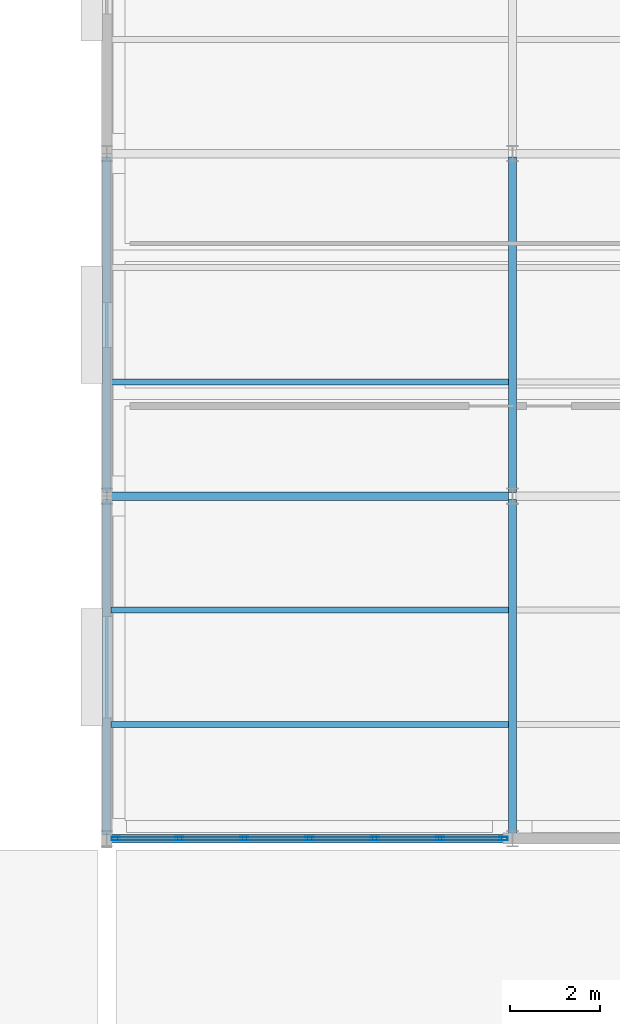
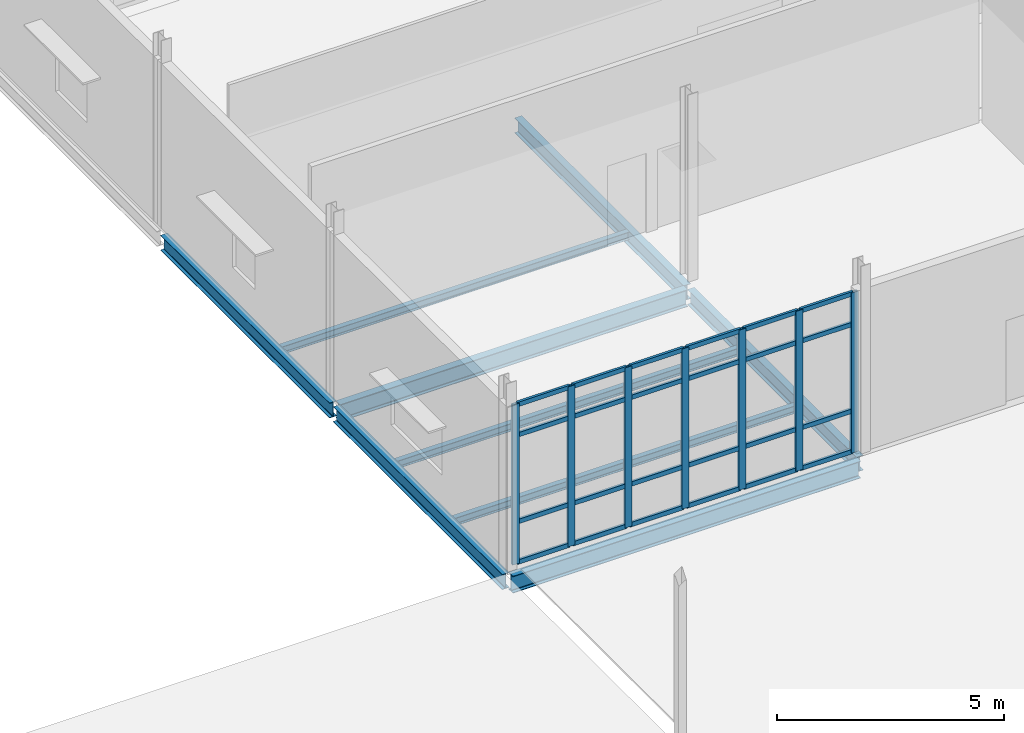
# One storey, part 71 of 161: 31 members, 9 beams, 1 element without a shape of its own.
"""IFC4 building model written with IfcOpenShell, lengths in metres."""

import ifcopenshell
import ifcopenshell.guid

model = None  # the IFC model being written
_history = None  # IfcOwnerHistory: only IFC2X3 demands one
_inside = {}  # id of a spatial element -> (the spatial element, [elements in it])
_under = {}  # id of a project, library or spatial element -> (it, [spatial elements below it])
_declared = {}  # id of a project -> (the project, [libraries it declares])
_typed = {}  # id of a type object -> (the type object, [elements of that type])
_made_of = {}  # id of a material, layer set ... -> (it, [elements and type objects made of it])


def new_model(schema):
    """Start an empty IFC model of exactly this schema.

    Asked for "IFC4X3", IfcOpenShell would pick the latest addendum, in which some entities
    have other attributes; the version numbers below select the first issue.
    IFC2X3 requires an IfcOwnerHistory on every rooted entity: one is made here for all.
    """
    global model, _history
    if schema == "IFC4X3":
        model = ifcopenshell.file(schema_version=(4, 3, 0, 0))
    else:
        model = ifcopenshell.file(schema=schema)
    _inside.clear()
    _under.clear()
    _declared.clear()
    _typed.clear()
    _made_of.clear()
    _history = None
    if model.schema == "IFC2X3":
        org = make("IfcOrganization", Name="unknown")
        user = make(
            "IfcPersonAndOrganization",
            ThePerson=make("IfcPerson", FamilyName="unknown"),
            TheOrganization=org,
        )
        app = make(
            "IfcApplication",
            ApplicationDeveloper=org,
            Version="unknown",
            ApplicationFullName="unknown",
            ApplicationIdentifier="unknown",
        )
        _history = make(
            "IfcOwnerHistory",
            OwningUser=user,
            OwningApplication=app,
            ChangeAction="ADDED",
            CreationDate=0,
        )
    return model


def make(cls, **values):
    """One entity of the class cls with the attributes given. An attribute that is None is left unset."""
    return model.create_entity(
        cls, **{name: value for name, value in values.items() if value is not None}
    )


def rooted(cls, **values):
    """An entity with a GlobalId (a new one), such as an element, a storey or a relation."""
    return make(cls, GlobalId=ifcopenshell.guid.new(), OwnerHistory=_history, **values)


def si_unit(unit_type, name, prefix=None):
    """IfcSIUnit, for example si_unit("LENGTHUNIT", "METRE", prefix="MILLI")."""
    return make("IfcSIUnit", UnitType=unit_type, Prefix=prefix, Name=name)


def assignment(units):
    """IfcUnitAssignment: the units of a project."""
    return None if units is None else make("IfcUnitAssignment", Units=units)


def point(xyz):
    """IfcCartesianPoint."""
    return None if xyz is None else make("IfcCartesianPoint", Coordinates=xyz)


def direction(xyz):
    """IfcDirection."""
    return None if xyz is None else make("IfcDirection", DirectionRatios=xyz)


def frame(location, z_axis=None, x_axis=None):
    """IfcAxis2Placement3D, a coordinate frame: its origin and axes. An axis left out is left unset."""
    return make(
        "IfcAxis2Placement3D",
        Location=point(location),
        Axis=direction(z_axis),
        RefDirection=direction(x_axis),
    )


def frame_2d(location, x_axis=None):
    """IfcAxis2Placement2D, a coordinate frame in the plane: its origin and x axis."""
    return make(
        "IfcAxis2Placement2D", Location=point(location), RefDirection=direction(x_axis)
    )


def origin():
    """The frame at (0, 0, 0) with its axes left unset."""
    return frame((0.0, 0.0, 0.0))


def origin_2d():
    """The frame at (0, 0) in the plane with its x axis left unset."""
    return frame_2d((0.0, 0.0))


def place(relative_to, where):
    """IfcLocalPlacement: puts the frame where relative to a parent placement (None: the world)."""
    return make(
        "IfcLocalPlacement", PlacementRelTo=relative_to, RelativePlacement=where
    )


def context(
    kind, dimensions, precision=None, world=None, true_north=None, identifier=None
):
    """IfcGeometricRepresentationContext, for example the 3D "Model" context."""
    return make(
        "IfcGeometricRepresentationContext",
        ContextIdentifier=identifier,
        ContextType=kind,
        CoordinateSpaceDimension=dimensions,
        Precision=precision,
        WorldCoordinateSystem=world,
        TrueNorth=true_north,
    )


def subcontext(parent, identifier, kind, view, scale=None):
    """IfcGeometricRepresentationSubContext, for example "Body" below "Model"."""
    return make(
        "IfcGeometricRepresentationSubContext",
        ContextIdentifier=identifier,
        ContextType=kind,
        ParentContext=parent,
        TargetScale=scale,
        TargetView=view,
    )


def project(units=None, contexts=None):
    """IfcProject with its units and contexts."""
    return rooted(
        "IfcProject",
        Name="project",
        RepresentationContexts=contexts,
        UnitsInContext=assignment(units),
    )


def spatial(cls, under=None, at=None, **own):
    """A site, building, storey or space (cls), placed at a placement, below another one or the project."""
    s = rooted(cls, ObjectPlacement=at, **own)
    if under is not None:
        _under.setdefault(under.id(), (under, []))[1].append(s)
    return s


def profile(cls, at=None, kind="AREA", **sizes):
    """A parametric profile (cls). Its sizes go by their IFC names, for example OverallWidth=200.0."""
    return make(cls, ProfileType=kind, Position=at, **sizes)


def hollow_rectangle(**sizes):
    """IfcRectangleHollowProfileDef."""
    return profile("IfcRectangleHollowProfileDef", **sizes)


def i_section(**sizes):
    """IfcIShapeProfileDef."""
    return profile("IfcIShapeProfileDef", **sizes)


def extrude(swept, where, along, depth):
    """IfcExtrudedAreaSolid: the profile swept, set in the frame where, extruded along a direction by depth."""
    return make(
        "IfcExtrudedAreaSolid",
        SweptArea=swept,
        Position=where,
        ExtrudedDirection=direction(along),
        Depth=depth,
    )


def shape(context_of_items, identifier, shape_type, items):
    """IfcShapeRepresentation: the items that make up one representation, for example the "Body"."""
    return make(
        "IfcShapeRepresentation",
        ContextOfItems=context_of_items,
        RepresentationIdentifier=identifier,
        RepresentationType=shape_type,
        Items=items,
    )


def material(Name=None, Category=None):
    """IfcMaterial."""
    return make("IfcMaterial", Name=Name, Category=Category)


def material_profile(
    of_material, cross_section, Name=None, Category=None, Priority=None
):
    """IfcMaterialProfile: a cross section and its material."""
    return make(
        "IfcMaterialProfile",
        Name=Name,
        Material=of_material,
        Profile=cross_section,
        Priority=Priority,
        Category=Category,
    )


def profile_set(profiles, Name=None, composite=None):
    """IfcMaterialProfileSet."""
    return make(
        "IfcMaterialProfileSet",
        Name=Name,
        MaterialProfiles=profiles,
        CompositeProfile=composite,
    )


def made_of(thing, what):
    """Note that an element or type object is made of a material, layer set ...; save() writes the relation."""
    if what is not None:
        _made_of.setdefault(what.id(), (what, []))[1].append(thing)
    return thing


def type_object(cls, material=None, **own):
    """A type object (cls), such as IfcWallType, which elements share."""
    return made_of(rooted(cls, **own), material)


def element(
    cls,
    number,
    at=None,
    inside=None,
    cuts=None,
    type_object=None,
    material=None,
    context=None,
    identifier="Body",
    shape_type=None,
    held_by="IfcProductDefinitionShape",
    body=None,
    shapes=None,
    **own,
):
    """One element of the class cls, such as IfcWall. Its Tag is "e" and its number.

    at: its placement. inside: the storey or other place that contains it. cuts: it is an
    opening in that element (IfcRelVoidsElement). A single representation is given by context,
    identifier, shape_type and body (its items); several are given by shapes. held_by: the class
    of the entity that holds the representations. save() writes the other relations.
    """
    e = rooted(cls, Tag="e%d" % number, ObjectPlacement=at, **own)
    if body is not None:
        shapes = [shape(context, identifier, shape_type, body)]
    if shapes is not None:
        e.Representation = make(held_by, Representations=shapes)
    if inside is not None:
        _inside.setdefault(inside.id(), (inside, []))[1].append(e)
    if cuts is not None:
        rooted(
            "IfcRelVoidsElement", RelatingBuildingElement=cuts, RelatedOpeningElement=e
        )
    if type_object is not None:
        _typed.setdefault(type_object.id(), (type_object, []))[1].append(e)
    return made_of(e, material)


def aggregate(whole, parts):
    """IfcRelAggregates: a whole, such as a stair, and the parts it consists of."""
    return rooted("IfcRelAggregates", RelatingObject=whole, RelatedObjects=parts)


def save(model, path):
    """Write the relations noted so far, then the file.

    IfcRelAggregates (storeys below a building ...), IfcRelContainedInSpatialStructure (elements
    in a storey), IfcRelDefinesByType, IfcRelAssociatesMaterial and IfcRelDeclares: one each for
    every whole, place, type object, material and project.
    """
    for whole, parts in _under.values():
        aggregate(whole, parts)
    for where, things in _inside.values():
        rooted(
            "IfcRelContainedInSpatialStructure",
            RelatedElements=things,
            RelatingStructure=where,
        )
    for kind, things in _typed.values():
        rooted("IfcRelDefinesByType", RelatedObjects=things, RelatingType=kind)
    for what, things in _made_of.values():
        rooted("IfcRelAssociatesMaterial", RelatedObjects=things, RelatingMaterial=what)
    for by, libraries in _declared.values():
        rooted("IfcRelDeclares", RelatingContext=by, RelatedDefinitions=libraries)
    model.write(path)


model = new_model("IFC4")

# Units and contexts
model_context = context("Model", 3, precision=1e-05, world=origin(), true_north=direction((0.0, 1.0)))
body_context = subcontext(model_context, "Body", "Model", "MODEL_VIEW")
ifc_project = project(units=[si_unit("LENGTHUNIT", "METRE"), si_unit("AREAUNIT", "SQUARE_METRE"), si_unit("VOLUMEUNIT", "CUBIC_METRE"), si_unit("PLANEANGLEUNIT", "RADIAN"), si_unit("MASSUNIT", "GRAM", prefix="KILO")], contexts=[model_context])

# Site, building, storey
site_placement = place(None, origin())
site = spatial("IfcSite", under=ifc_project, at=site_placement, CompositionType="ELEMENT")
building_placement = place(site_placement, origin())
building = spatial("IfcBuilding", under=site, at=building_placement, Name="Caisbarro Railhouse Central Library", CompositionType="ELEMENT")
storey_placement = place(building_placement, origin())
storey = spatial("IfcBuildingStorey", under=building, at=storey_placement, Name="L00", CompositionType="ELEMENT", Elevation=0.0)

# Beams
ifc_material_1 = material(Name="Steel ASTM A572 Grade 50", Category="steel")
ifc_material_profile_1 = material_profile(ifc_material_1, i_section(OverallWidth=0.18994140625, OverallDepth=0.45703125, WebThickness=0.009033203125, FlangeThickness=0.014404296875, FilletRadius=0.01806640625, at=origin_2d()), Name="W460X74.0")
ifc_profile_set_1 = profile_set([ifc_material_profile_1], Name="Steel ASTM A572 Grade 50")
beam_type_1 = type_object("IfcBeamType", Name="BM-G08", PredefinedType="BEAM", material=ifc_profile_set_1)
beam_1_placement = place(storey_placement, frame((54.080078125, 91.199951171875, -0.478515625), z_axis=(1.0, 0.0, 0.0), x_axis=(0.0, 1.0, 0.0)))
element("IfcBeam", 1, at=beam_1_placement, inside=storey, type_object=beam_type_1, Name="G08 beam L00 #618", PredefinedType="BEAM", context=body_context, shape_type="SweptSolid", body=[
    extrude(i_section(OverallWidth=0.18994140625, OverallDepth=0.45703125, WebThickness=0.009033203125, FlangeThickness=0.014404296875, FilletRadius=0.01806640625, at=origin_2d()), origin(), (0.0, 0.0, 1.0), 8.83984375),
])
ifc_material_profile_2 = material_profile(ifc_material_1, i_section(OverallWidth=0.177978515625, OverallDepth=0.406982421875, WebThickness=0.0078125, FlangeThickness=0.0126953125, FilletRadius=0.01611328125, at=origin_2d()), Name="W410X60.0")
ifc_profile_set_2 = profile_set([ifc_material_profile_2], Name="Steel ASTM A572 Grade 50")
beam_type_2 = type_object("IfcBeamType", Name="BM-G10", PredefinedType="BEAM", material=ifc_profile_set_2)
beam_2_placement = place(storey_placement, frame((54.0, 83.679931640625, -0.45361328125), z_axis=(0.0, 1.0, 0.0), x_axis=(-1.0, 0.0, 0.0)))
element("IfcBeam", 2, at=beam_2_placement, inside=storey, type_object=beam_type_2, Name="G10 beam L00 #633", PredefinedType="BEAM", context=body_context, shape_type="SweptSolid", body=[
    extrude(i_section(OverallWidth=0.177978515625, OverallDepth=0.406982421875, WebThickness=0.0078125, FlangeThickness=0.0126953125, FilletRadius=0.01611328125, at=origin_2d()), origin(), (0.0, 0.0, 1.0), 7.440185546875),
])
beam_3_placement = place(storey_placement, frame((54.0, 91.280029296875, -0.45361328125), z_axis=(0.0, 1.0, 0.0), x_axis=(-1.0, 0.0, 0.0)))
element("IfcBeam", 3, at=beam_3_placement, inside=storey, type_object=beam_type_2, Name="G10 beam L00 #634", PredefinedType="BEAM", context=body_context, shape_type="SweptSolid", body=[
    extrude(i_section(OverallWidth=0.177978515625, OverallDepth=0.406982421875, WebThickness=0.0078125, FlangeThickness=0.0126953125, FilletRadius=0.01611328125, at=origin_2d()), origin(), (0.0, 0.0, 1.0), 7.43994140625),
])
beam_4_placement = place(storey_placement, frame((63.0, 83.679931640625, -0.45361328125), z_axis=(0.0, 1.0, 0.0), x_axis=(-1.0, 0.0, 0.0)))
element("IfcBeam", 4, at=beam_4_placement, inside=storey, type_object=beam_type_2, Name="G10 beam L00 #636", PredefinedType="BEAM", context=body_context, shape_type="SweptSolid", body=[
    extrude(i_section(OverallWidth=0.177978515625, OverallDepth=0.406982421875, WebThickness=0.0078125, FlangeThickness=0.0126953125, FilletRadius=0.01611328125, at=origin_2d()), origin(), (0.0, 0.0, 1.0), 7.440185546875),
])
beam_5_placement = place(storey_placement, frame((63.0, 91.280029296875, -0.45361328125), z_axis=(0.0, 1.0, 0.0), x_axis=(-1.0, 0.0, 0.0)))
element("IfcBeam", 5, at=beam_5_placement, inside=storey, type_object=beam_type_2, Name="G10 beam L00 #637", PredefinedType="BEAM", context=body_context, shape_type="SweptSolid", body=[
    extrude(i_section(OverallWidth=0.177978515625, OverallDepth=0.406982421875, WebThickness=0.0078125, FlangeThickness=0.0126953125, FilletRadius=0.01611328125, at=origin_2d()), origin(), (0.0, 0.0, 1.0), 7.43994140625),
])
ifc_material_profile_3 = material_profile(ifc_material_1, i_section(OverallWidth=0.133056640625, OverallDepth=0.20703125, WebThickness=0.005859375, FlangeThickness=0.00830078125, FilletRadius=0.010009765625, at=origin_2d()), Name="W200X26.6")
ifc_profile_set_3 = profile_set([ifc_material_profile_3], Name="Steel ASTM A572 Grade 50")
beam_type_3 = type_object("IfcBeamType", Name="BM-J07", PredefinedType="JOIST", material=ifc_profile_set_3)
for number, where, z_axis, x_axis, name in (
    (6, (54.089111328125, 86.13330078125, -0.353515625), (1.0, 0.0, 0.0), (0.0, 1.0, 0.0), "J07 beam L00 #651"),
    (7, (54.089111328125, 88.666748046875, -0.353515625), (1.0, 0.0, 0.0), (0.0, 1.0, 0.0), "J07 beam L00 #652"),
    (8, (54.089111328125, 93.7333984375, -0.353515625), (1.0, 0.0, 0.0), (0.0, 1.0, 0.0), "J07 beam L00 #653"),
):
    element("IfcBeam", number, at=place(storey_placement, frame(where, z_axis=z_axis, x_axis=x_axis)), inside=storey, type_object=beam_type_3, Name=name, PredefinedType="JOIST", context=body_context, shape_type="SweptSolid", body=[
        extrude(i_section(OverallWidth=0.133056640625, OverallDepth=0.20703125, WebThickness=0.005859375, FlangeThickness=0.00830078125, FilletRadius=0.010009765625, at=origin_2d()), origin(), (0.0, 0.0, 1.0), 8.82177734375),
    ])
ifc_material_profile_4 = material_profile(ifc_material_1, i_section(OverallWidth=0.18994140625, OverallDepth=0.45703125, WebThickness=0.009033203125, FlangeThickness=0.014404296875, FilletRadius=0.01806640625, at=origin_2d()), Name="W460X74.0")
ifc_profile_set_4 = profile_set([ifc_material_profile_4], Name="Steel ASTM A572 Grade 50")
beam_type_4 = type_object("IfcBeamType", Name="BM-SP01", PredefinedType="SPANDREL", material=ifc_profile_set_4)
beam_6_placement = place(storey_placement, frame((54.080078125, 83.60009765625, -0.478515625), z_axis=(1.0, 0.0, 0.0), x_axis=(0.0, 1.0, 0.0)))
element("IfcBeam", 9, at=beam_6_placement, inside=storey, type_object=beam_type_4, Name="SP01 beam L00 #613", PredefinedType="SPANDREL", context=body_context, shape_type="SweptSolid", body=[
    extrude(i_section(OverallWidth=0.18994140625, OverallDepth=0.45703125, WebThickness=0.009033203125, FlangeThickness=0.014404296875, FilletRadius=0.01806640625, at=origin_2d()), origin(), (0.0, 0.0, 1.0), 8.83984375),
])

# Curtain wall, members
ifc_material_2 = material(Name="Anodised architectural aluminium", Category="aluminium")
curtain_wall_type = type_object("IfcCurtainWallType", Name="CW-CW02", PredefinedType="NOTDEFINED", material=ifc_material_2)
curtain_wall_placement = place(storey_placement, origin())
curtain_wall = element("IfcCurtainWall", 10, at=curtain_wall_placement, inside=storey, type_object=curtain_wall_type, Name="CW02 curtain wall L00 #166", PredefinedType="NOTDEFINED")
ifc_material_profile_5 = material_profile(ifc_material_2, hollow_rectangle(XDim=0.074951171875, YDim=0.179931640625, WallThickness=0.00439453125, at=origin_2d()), Name="ALU-MUL-75X180")
ifc_profile_set_5 = profile_set([ifc_material_profile_5], Name="Anodised architectural aluminium")
member_type_1 = type_object("IfcMemberType", Name="CWM-M01", PredefinedType="MULLION", material=ifc_profile_set_5)
member_1_placement = place(storey_placement, frame((54.197509765625, 83.60009765625, 0.0), z_axis=(0.0, 0.0, 1.0), x_axis=(0.0, 1.0, 0.0)))
member_1 = element("IfcMember", 11, at=member_1_placement, type_object=member_type_1, Name="CW02 mullion 1", PredefinedType="MULLION", context=body_context, shape_type="SweptSolid", body=[
    extrude(hollow_rectangle(XDim=0.074951171875, YDim=0.179931640625, WallThickness=0.00439453125, at=origin_2d()), origin(), (0.0, 0.0, 1.0), 4.300048828125),
])
member_2_placement = place(storey_placement, frame((55.606689453125, 83.60009765625, 0.0), z_axis=(0.0, 0.0, 1.0), x_axis=(0.0, 1.0, 0.0)))
member_2 = element("IfcMember", 12, at=member_2_placement, type_object=member_type_1, Name="CW02 mullion 2", PredefinedType="MULLION", context=body_context, shape_type="SweptSolid", body=[
    extrude(hollow_rectangle(XDim=0.074951171875, YDim=0.179931640625, WallThickness=0.00439453125, at=origin_2d()), origin(), (0.0, 0.0, 1.0), 4.300048828125),
])
member_3_placement = place(storey_placement, frame((57.05322265625, 83.60009765625, 0.0), z_axis=(0.0, 0.0, 1.0), x_axis=(0.0, 1.0, 0.0)))
member_3 = element("IfcMember", 13, at=member_3_placement, type_object=member_type_1, Name="CW02 mullion 3", PredefinedType="MULLION", context=body_context, shape_type="SweptSolid", body=[
    extrude(hollow_rectangle(XDim=0.074951171875, YDim=0.179931640625, WallThickness=0.00439453125, at=origin_2d()), origin(), (0.0, 0.0, 1.0), 4.300048828125),
])
member_4_placement = place(storey_placement, frame((58.5, 83.60009765625, 0.0), z_axis=(0.0, 0.0, 1.0), x_axis=(0.0, 1.0, 0.0)))
member_4 = element("IfcMember", 14, at=member_4_placement, type_object=member_type_1, Name="CW02 mullion 4", PredefinedType="MULLION", context=body_context, shape_type="SweptSolid", body=[
    extrude(hollow_rectangle(XDim=0.074951171875, YDim=0.179931640625, WallThickness=0.00439453125, at=origin_2d()), origin(), (0.0, 0.0, 1.0), 4.300048828125),
])
member_5_placement = place(storey_placement, frame((59.94677734375, 83.60009765625, 0.0), z_axis=(0.0, 0.0, 1.0), x_axis=(0.0, 1.0, 0.0)))
member_5 = element("IfcMember", 15, at=member_5_placement, type_object=member_type_1, Name="CW02 mullion 5", PredefinedType="MULLION", context=body_context, shape_type="SweptSolid", body=[
    extrude(hollow_rectangle(XDim=0.074951171875, YDim=0.179931640625, WallThickness=0.00439453125, at=origin_2d()), origin(), (0.0, 0.0, 1.0), 4.300048828125),
])
member_6_placement = place(storey_placement, frame((61.393310546875, 83.60009765625, 0.0), z_axis=(0.0, 0.0, 1.0), x_axis=(0.0, 1.0, 0.0)))
member_6 = element("IfcMember", 16, at=member_6_placement, type_object=member_type_1, Name="CW02 mullion 6", PredefinedType="MULLION", context=body_context, shape_type="SweptSolid", body=[
    extrude(hollow_rectangle(XDim=0.074951171875, YDim=0.179931640625, WallThickness=0.00439453125, at=origin_2d()), origin(), (0.0, 0.0, 1.0), 4.300048828125),
])
member_7_placement = place(storey_placement, frame((62.802490234375, 83.60009765625, 0.0), z_axis=(0.0, 0.0, 1.0), x_axis=(0.0, 1.0, 0.0)))
member_7 = element("IfcMember", 17, at=member_7_placement, type_object=member_type_1, Name="CW02 mullion 7", PredefinedType="MULLION", context=body_context, shape_type="SweptSolid", body=[
    extrude(hollow_rectangle(XDim=0.074951171875, YDim=0.179931640625, WallThickness=0.00439453125, at=origin_2d()), origin(), (0.0, 0.0, 1.0), 4.300048828125),
])
ifc_material_profile_6 = material_profile(ifc_material_2, hollow_rectangle(XDim=0.06494140625, YDim=0.1201171875, WallThickness=0.00341796875, at=origin_2d()), Name="ALU-TRN-65X120")
ifc_profile_set_6 = profile_set([ifc_material_profile_6], Name="Anodised architectural aluminium")
member_type_2 = type_object("IfcMemberType", Name="CWT-T02", PredefinedType="USERDEFINED", material=ifc_profile_set_6)
member_8_placement = place(storey_placement, frame((54.235107421875, 83.60009765625, 0.032470703125), z_axis=(1.0, 0.0, 0.0), x_axis=(0.0, 1.0, 0.0)))
member_8 = element("IfcMember", 18, at=member_8_placement, type_object=member_type_2, Name="CW02 transom 1.1", ObjectType="TRANSOM", PredefinedType="USERDEFINED", context=body_context, shape_type="SweptSolid", body=[
    extrude(hollow_rectangle(XDim=0.06494140625, YDim=0.1201171875, WallThickness=0.00341796875, at=origin_2d()), origin(), (0.0, 0.0, 1.0), 1.333984375),
])
member_9_placement = place(storey_placement, frame((54.235107421875, 83.60009765625, 1.1201171875), z_axis=(1.0, 0.0, 0.0), x_axis=(0.0, 1.0, 0.0)))
member_9 = element("IfcMember", 19, at=member_9_placement, type_object=member_type_2, Name="CW02 transom 1.2", ObjectType="TRANSOM", PredefinedType="USERDEFINED", context=body_context, shape_type="SweptSolid", body=[
    extrude(hollow_rectangle(XDim=0.06494140625, YDim=0.1201171875, WallThickness=0.00341796875, at=origin_2d()), origin(), (0.0, 0.0, 1.0), 1.333984375),
])
member_10_placement = place(storey_placement, frame((54.235107421875, 83.60009765625, 3.449951171875), z_axis=(1.0, 0.0, 0.0), x_axis=(0.0, 1.0, 0.0)))
member_10 = element("IfcMember", 20, at=member_10_placement, type_object=member_type_2, Name="CW02 transom 1.3", ObjectType="TRANSOM", PredefinedType="USERDEFINED", context=body_context, shape_type="SweptSolid", body=[
    extrude(hollow_rectangle(XDim=0.06494140625, YDim=0.1201171875, WallThickness=0.00341796875, at=origin_2d()), origin(), (0.0, 0.0, 1.0), 1.333984375),
])
member_11_placement = place(storey_placement, frame((54.235107421875, 83.60009765625, 4.267578125), z_axis=(1.0, 0.0, 0.0), x_axis=(0.0, 1.0, 0.0)))
member_11 = element("IfcMember", 21, at=member_11_placement, type_object=member_type_2, Name="CW02 transom 1.4", ObjectType="TRANSOM", PredefinedType="USERDEFINED", context=body_context, shape_type="SweptSolid", body=[
    extrude(hollow_rectangle(XDim=0.06494140625, YDim=0.1201171875, WallThickness=0.00341796875, at=origin_2d()), origin(), (0.0, 0.0, 1.0), 1.333984375),
])
member_12_placement = place(storey_placement, frame((55.644287109375, 83.60009765625, 0.032470703125), z_axis=(1.0, 0.0, 0.0), x_axis=(0.0, 1.0, 0.0)))
member_12 = element("IfcMember", 22, at=member_12_placement, type_object=member_type_2, Name="CW02 transom 2.1", ObjectType="TRANSOM", PredefinedType="USERDEFINED", context=body_context, shape_type="SweptSolid", body=[
    extrude(hollow_rectangle(XDim=0.06494140625, YDim=0.1201171875, WallThickness=0.00341796875, at=origin_2d()), origin(), (0.0, 0.0, 1.0), 1.37158203125),
])
member_13_placement = place(storey_placement, frame((55.644287109375, 83.60009765625, 1.1201171875), z_axis=(1.0, 0.0, 0.0), x_axis=(0.0, 1.0, 0.0)))
member_13 = element("IfcMember", 23, at=member_13_placement, type_object=member_type_2, Name="CW02 transom 2.2", ObjectType="TRANSOM", PredefinedType="USERDEFINED", context=body_context, shape_type="SweptSolid", body=[
    extrude(hollow_rectangle(XDim=0.06494140625, YDim=0.1201171875, WallThickness=0.00341796875, at=origin_2d()), origin(), (0.0, 0.0, 1.0), 1.37158203125),
])
member_14_placement = place(storey_placement, frame((55.644287109375, 83.60009765625, 3.449951171875), z_axis=(1.0, 0.0, 0.0), x_axis=(0.0, 1.0, 0.0)))
member_14 = element("IfcMember", 24, at=member_14_placement, type_object=member_type_2, Name="CW02 transom 2.3", ObjectType="TRANSOM", PredefinedType="USERDEFINED", context=body_context, shape_type="SweptSolid", body=[
    extrude(hollow_rectangle(XDim=0.06494140625, YDim=0.1201171875, WallThickness=0.00341796875, at=origin_2d()), origin(), (0.0, 0.0, 1.0), 1.37158203125),
])
member_15_placement = place(storey_placement, frame((55.644287109375, 83.60009765625, 4.267578125), z_axis=(1.0, 0.0, 0.0), x_axis=(0.0, 1.0, 0.0)))
member_15 = element("IfcMember", 25, at=member_15_placement, type_object=member_type_2, Name="CW02 transom 2.4", ObjectType="TRANSOM", PredefinedType="USERDEFINED", context=body_context, shape_type="SweptSolid", body=[
    extrude(hollow_rectangle(XDim=0.06494140625, YDim=0.1201171875, WallThickness=0.00341796875, at=origin_2d()), origin(), (0.0, 0.0, 1.0), 1.37158203125),
])
member_16_placement = place(storey_placement, frame((57.0908203125, 83.60009765625, 0.032470703125), z_axis=(1.0, 0.0, 0.0), x_axis=(0.0, 1.0, 0.0)))
member_16 = element("IfcMember", 26, at=member_16_placement, type_object=member_type_2, Name="CW02 transom 3.1", ObjectType="TRANSOM", PredefinedType="USERDEFINED", context=body_context, shape_type="SweptSolid", body=[
    extrude(hollow_rectangle(XDim=0.06494140625, YDim=0.1201171875, WallThickness=0.00341796875, at=origin_2d()), origin(), (0.0, 0.0, 1.0), 1.37158203125),
])
member_17_placement = place(storey_placement, frame((57.0908203125, 83.60009765625, 1.1201171875), z_axis=(1.0, 0.0, 0.0), x_axis=(0.0, 1.0, 0.0)))
member_17 = element("IfcMember", 27, at=member_17_placement, type_object=member_type_2, Name="CW02 transom 3.2", ObjectType="TRANSOM", PredefinedType="USERDEFINED", context=body_context, shape_type="SweptSolid", body=[
    extrude(hollow_rectangle(XDim=0.06494140625, YDim=0.1201171875, WallThickness=0.00341796875, at=origin_2d()), origin(), (0.0, 0.0, 1.0), 1.37158203125),
])
member_18_placement = place(storey_placement, frame((57.0908203125, 83.60009765625, 3.449951171875), z_axis=(1.0, 0.0, 0.0), x_axis=(0.0, 1.0, 0.0)))
member_18 = element("IfcMember", 28, at=member_18_placement, type_object=member_type_2, Name="CW02 transom 3.3", ObjectType="TRANSOM", PredefinedType="USERDEFINED", context=body_context, shape_type="SweptSolid", body=[
    extrude(hollow_rectangle(XDim=0.06494140625, YDim=0.1201171875, WallThickness=0.00341796875, at=origin_2d()), origin(), (0.0, 0.0, 1.0), 1.37158203125),
])
member_19_placement = place(storey_placement, frame((57.0908203125, 83.60009765625, 4.267578125), z_axis=(1.0, 0.0, 0.0), x_axis=(0.0, 1.0, 0.0)))
member_19 = element("IfcMember", 29, at=member_19_placement, type_object=member_type_2, Name="CW02 transom 3.4", ObjectType="TRANSOM", PredefinedType="USERDEFINED", context=body_context, shape_type="SweptSolid", body=[
    extrude(hollow_rectangle(XDim=0.06494140625, YDim=0.1201171875, WallThickness=0.00341796875, at=origin_2d()), origin(), (0.0, 0.0, 1.0), 1.37158203125),
])
member_20_placement = place(storey_placement, frame((58.53759765625, 83.60009765625, 0.032470703125), z_axis=(1.0, 0.0, 0.0), x_axis=(0.0, 1.0, 0.0)))
member_20 = element("IfcMember", 30, at=member_20_placement, type_object=member_type_2, Name="CW02 transom 4.1", ObjectType="TRANSOM", PredefinedType="USERDEFINED", context=body_context, shape_type="SweptSolid", body=[
    extrude(hollow_rectangle(XDim=0.06494140625, YDim=0.1201171875, WallThickness=0.00341796875, at=origin_2d()), origin(), (0.0, 0.0, 1.0), 1.37158203125),
])
member_21_placement = place(storey_placement, frame((58.53759765625, 83.60009765625, 1.1201171875), z_axis=(1.0, 0.0, 0.0), x_axis=(0.0, 1.0, 0.0)))
member_21 = element("IfcMember", 31, at=member_21_placement, type_object=member_type_2, Name="CW02 transom 4.2", ObjectType="TRANSOM", PredefinedType="USERDEFINED", context=body_context, shape_type="SweptSolid", body=[
    extrude(hollow_rectangle(XDim=0.06494140625, YDim=0.1201171875, WallThickness=0.00341796875, at=origin_2d()), origin(), (0.0, 0.0, 1.0), 1.37158203125),
])
member_22_placement = place(storey_placement, frame((58.53759765625, 83.60009765625, 3.449951171875), z_axis=(1.0, 0.0, 0.0), x_axis=(0.0, 1.0, 0.0)))
member_22 = element("IfcMember", 32, at=member_22_placement, type_object=member_type_2, Name="CW02 transom 4.3", ObjectType="TRANSOM", PredefinedType="USERDEFINED", context=body_context, shape_type="SweptSolid", body=[
    extrude(hollow_rectangle(XDim=0.06494140625, YDim=0.1201171875, WallThickness=0.00341796875, at=origin_2d()), origin(), (0.0, 0.0, 1.0), 1.37158203125),
])
member_23_placement = place(storey_placement, frame((58.53759765625, 83.60009765625, 4.267578125), z_axis=(1.0, 0.0, 0.0), x_axis=(0.0, 1.0, 0.0)))
member_23 = element("IfcMember", 33, at=member_23_placement, type_object=member_type_2, Name="CW02 transom 4.4", ObjectType="TRANSOM", PredefinedType="USERDEFINED", context=body_context, shape_type="SweptSolid", body=[
    extrude(hollow_rectangle(XDim=0.06494140625, YDim=0.1201171875, WallThickness=0.00341796875, at=origin_2d()), origin(), (0.0, 0.0, 1.0), 1.37158203125),
])
member_24_placement = place(storey_placement, frame((59.984130859375, 83.60009765625, 0.032470703125), z_axis=(1.0, 0.0, 0.0), x_axis=(0.0, 1.0, 0.0)))
member_24 = element("IfcMember", 34, at=member_24_placement, type_object=member_type_2, Name="CW02 transom 5.1", ObjectType="TRANSOM", PredefinedType="USERDEFINED", context=body_context, shape_type="SweptSolid", body=[
    extrude(hollow_rectangle(XDim=0.06494140625, YDim=0.1201171875, WallThickness=0.00341796875, at=origin_2d()), origin(), (0.0, 0.0, 1.0), 1.37158203125),
])
member_25_placement = place(storey_placement, frame((59.984130859375, 83.60009765625, 1.1201171875), z_axis=(1.0, 0.0, 0.0), x_axis=(0.0, 1.0, 0.0)))
member_25 = element("IfcMember", 35, at=member_25_placement, type_object=member_type_2, Name="CW02 transom 5.2", ObjectType="TRANSOM", PredefinedType="USERDEFINED", context=body_context, shape_type="SweptSolid", body=[
    extrude(hollow_rectangle(XDim=0.06494140625, YDim=0.1201171875, WallThickness=0.00341796875, at=origin_2d()), origin(), (0.0, 0.0, 1.0), 1.37158203125),
])
member_26_placement = place(storey_placement, frame((59.984130859375, 83.60009765625, 3.449951171875), z_axis=(1.0, 0.0, 0.0), x_axis=(0.0, 1.0, 0.0)))
member_26 = element("IfcMember", 36, at=member_26_placement, type_object=member_type_2, Name="CW02 transom 5.3", ObjectType="TRANSOM", PredefinedType="USERDEFINED", context=body_context, shape_type="SweptSolid", body=[
    extrude(hollow_rectangle(XDim=0.06494140625, YDim=0.1201171875, WallThickness=0.00341796875, at=origin_2d()), origin(), (0.0, 0.0, 1.0), 1.37158203125),
])
member_27_placement = place(storey_placement, frame((59.984130859375, 83.60009765625, 4.267578125), z_axis=(1.0, 0.0, 0.0), x_axis=(0.0, 1.0, 0.0)))
member_27 = element("IfcMember", 37, at=member_27_placement, type_object=member_type_2, Name="CW02 transom 5.4", ObjectType="TRANSOM", PredefinedType="USERDEFINED", context=body_context, shape_type="SweptSolid", body=[
    extrude(hollow_rectangle(XDim=0.06494140625, YDim=0.1201171875, WallThickness=0.00341796875, at=origin_2d()), origin(), (0.0, 0.0, 1.0), 1.37158203125),
])
member_28_placement = place(storey_placement, frame((61.430908203125, 83.60009765625, 0.032470703125), z_axis=(1.0, 0.0, 0.0), x_axis=(0.0, 1.0, 0.0)))
member_28 = element("IfcMember", 38, at=member_28_placement, type_object=member_type_2, Name="CW02 transom 6.1", ObjectType="TRANSOM", PredefinedType="USERDEFINED", context=body_context, shape_type="SweptSolid", body=[
    extrude(hollow_rectangle(XDim=0.06494140625, YDim=0.1201171875, WallThickness=0.00341796875, at=origin_2d()), origin(), (0.0, 0.0, 1.0), 1.333984375),
])
member_29_placement = place(storey_placement, frame((61.430908203125, 83.60009765625, 1.1201171875), z_axis=(1.0, 0.0, 0.0), x_axis=(0.0, 1.0, 0.0)))
member_29 = element("IfcMember", 39, at=member_29_placement, type_object=member_type_2, Name="CW02 transom 6.2", ObjectType="TRANSOM", PredefinedType="USERDEFINED", context=body_context, shape_type="SweptSolid", body=[
    extrude(hollow_rectangle(XDim=0.06494140625, YDim=0.1201171875, WallThickness=0.00341796875, at=origin_2d()), origin(), (0.0, 0.0, 1.0), 1.333984375),
])
member_30_placement = place(storey_placement, frame((61.430908203125, 83.60009765625, 3.449951171875), z_axis=(1.0, 0.0, 0.0), x_axis=(0.0, 1.0, 0.0)))
member_30 = element("IfcMember", 40, at=member_30_placement, type_object=member_type_2, Name="CW02 transom 6.3", ObjectType="TRANSOM", PredefinedType="USERDEFINED", context=body_context, shape_type="SweptSolid", body=[
    extrude(hollow_rectangle(XDim=0.06494140625, YDim=0.1201171875, WallThickness=0.00341796875, at=origin_2d()), origin(), (0.0, 0.0, 1.0), 1.333984375),
])
member_31_placement = place(storey_placement, frame((61.430908203125, 83.60009765625, 4.267578125), z_axis=(1.0, 0.0, 0.0), x_axis=(0.0, 1.0, 0.0)))
member_31 = element("IfcMember", 41, at=member_31_placement, type_object=member_type_2, Name="CW02 transom 6.4", ObjectType="TRANSOM", PredefinedType="USERDEFINED", context=body_context, shape_type="SweptSolid", body=[
    extrude(hollow_rectangle(XDim=0.06494140625, YDim=0.1201171875, WallThickness=0.00341796875, at=origin_2d()), origin(), (0.0, 0.0, 1.0), 1.333984375),
])
aggregate(curtain_wall, [member_1, member_2, member_3, member_4, member_5, member_6, member_7, member_8, member_9, member_10, member_11, member_12, member_13, member_14, member_15, member_16, member_17, member_18, member_19, member_20, member_21, member_22, member_23, member_24, member_25, member_26, member_27, member_28, member_29, member_30, member_31])

save(model, "model.ifc")
